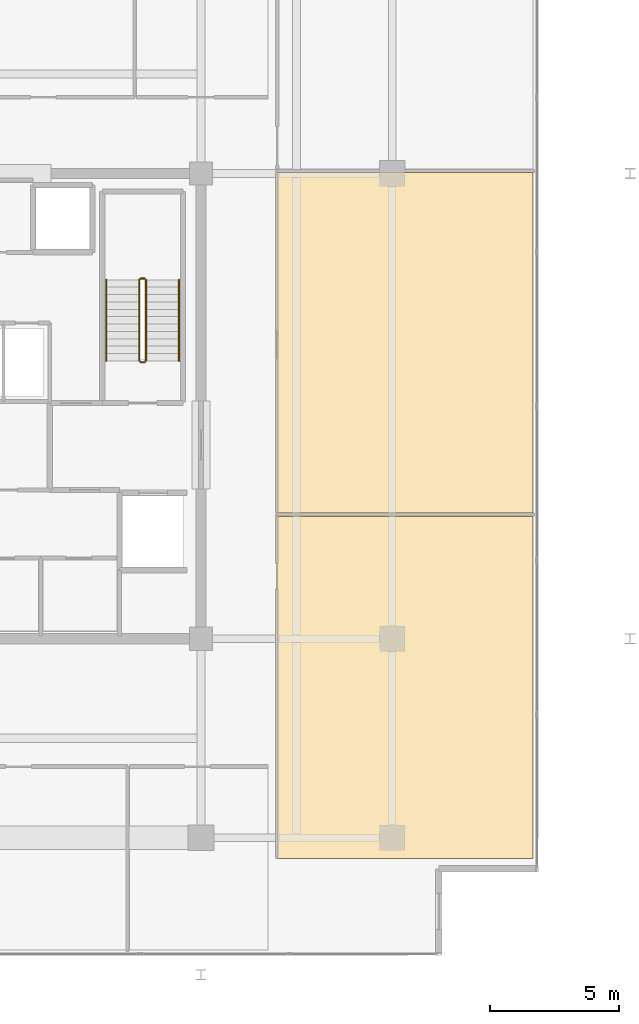
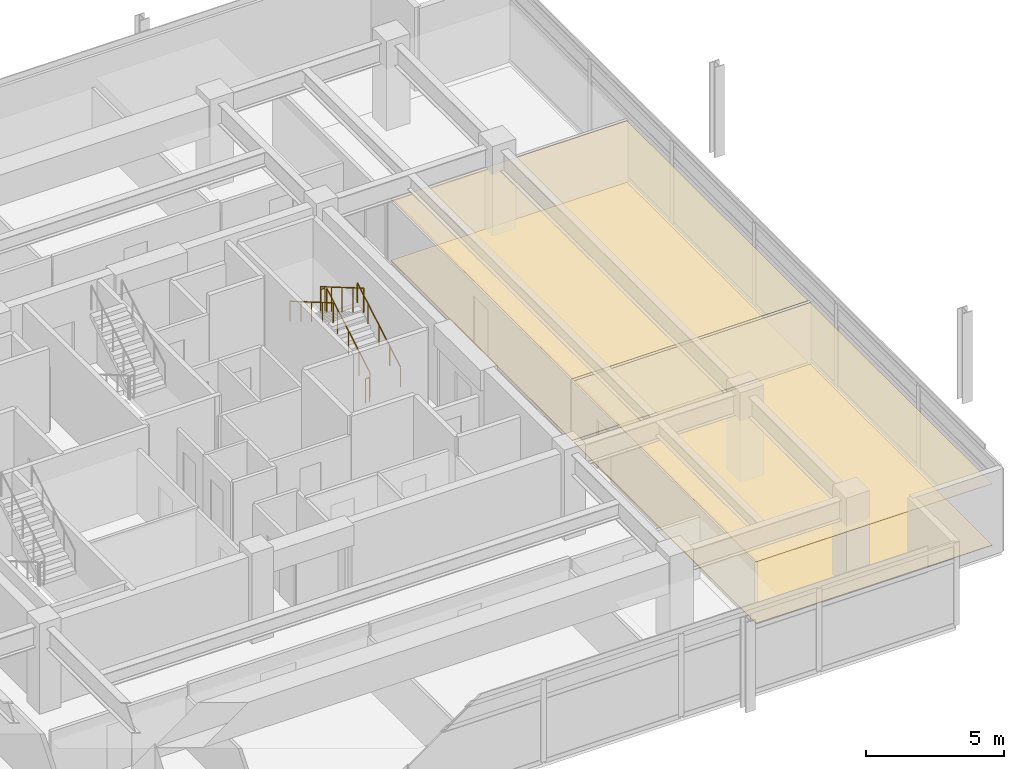
# One storey, part 17 of 18: 6 railings, 4 coverings.
"""IFC4 building model written with IfcOpenShell, lengths in metres."""

import ifcopenshell
import ifcopenshell.guid

model = None  # the IFC model being written
_history = None  # IfcOwnerHistory: only IFC2X3 demands one
_inside = {}  # id of a spatial element -> (the spatial element, [elements in it])
_under = {}  # id of a project, library or spatial element -> (it, [spatial elements below it])
_declared = {}  # id of a project -> (the project, [libraries it declares])
_typed = {}  # id of a type object -> (the type object, [elements of that type])
_made_of = {}  # id of a material, layer set ... -> (it, [elements and type objects made of it])


def new_model(schema):
    """Start an empty IFC model of exactly this schema.

    Asked for "IFC4X3", IfcOpenShell would pick the latest addendum, in which some entities
    have other attributes; the version numbers below select the first issue.
    IFC2X3 requires an IfcOwnerHistory on every rooted entity: one is made here for all.
    """
    global model, _history
    if schema == "IFC4X3":
        model = ifcopenshell.file(schema_version=(4, 3, 0, 0))
    else:
        model = ifcopenshell.file(schema=schema)
    _inside.clear()
    _under.clear()
    _declared.clear()
    _typed.clear()
    _made_of.clear()
    _history = None
    if model.schema == "IFC2X3":
        org = make("IfcOrganization", Name="unknown")
        user = make(
            "IfcPersonAndOrganization",
            ThePerson=make("IfcPerson", FamilyName="unknown"),
            TheOrganization=org,
        )
        app = make(
            "IfcApplication",
            ApplicationDeveloper=org,
            Version="unknown",
            ApplicationFullName="unknown",
            ApplicationIdentifier="unknown",
        )
        _history = make(
            "IfcOwnerHistory",
            OwningUser=user,
            OwningApplication=app,
            ChangeAction="ADDED",
            CreationDate=0,
        )
    return model


def make(cls, **values):
    """One entity of the class cls with the attributes given. An attribute that is None is left unset."""
    return model.create_entity(
        cls, **{name: value for name, value in values.items() if value is not None}
    )


def rooted(cls, **values):
    """An entity with a GlobalId (a new one), such as an element, a storey or a relation."""
    return make(cls, GlobalId=ifcopenshell.guid.new(), OwnerHistory=_history, **values)


def si_unit(unit_type, name, prefix=None):
    """IfcSIUnit, for example si_unit("LENGTHUNIT", "METRE", prefix="MILLI")."""
    return make("IfcSIUnit", UnitType=unit_type, Prefix=prefix, Name=name)


def assignment(units):
    """IfcUnitAssignment: the units of a project."""
    return None if units is None else make("IfcUnitAssignment", Units=units)


def point(xyz):
    """IfcCartesianPoint."""
    return None if xyz is None else make("IfcCartesianPoint", Coordinates=xyz)


def direction(xyz):
    """IfcDirection."""
    return None if xyz is None else make("IfcDirection", DirectionRatios=xyz)


def frame(location, z_axis=None, x_axis=None):
    """IfcAxis2Placement3D, a coordinate frame: its origin and axes. An axis left out is left unset."""
    return make(
        "IfcAxis2Placement3D",
        Location=point(location),
        Axis=direction(z_axis),
        RefDirection=direction(x_axis),
    )


def frame_2d(location, x_axis=None):
    """IfcAxis2Placement2D, a coordinate frame in the plane: its origin and x axis."""
    return make(
        "IfcAxis2Placement2D", Location=point(location), RefDirection=direction(x_axis)
    )


def origin():
    """The frame at (0, 0, 0) with its axes left unset."""
    return frame((0.0, 0.0, 0.0))


def origin_2d():
    """The frame at (0, 0) in the plane with its x axis left unset."""
    return frame_2d((0.0, 0.0))


def place(relative_to, where):
    """IfcLocalPlacement: puts the frame where relative to a parent placement (None: the world)."""
    return make(
        "IfcLocalPlacement", PlacementRelTo=relative_to, RelativePlacement=where
    )


def context(
    kind, dimensions, precision=None, world=None, true_north=None, identifier=None
):
    """IfcGeometricRepresentationContext, for example the 3D "Model" context."""
    return make(
        "IfcGeometricRepresentationContext",
        ContextIdentifier=identifier,
        ContextType=kind,
        CoordinateSpaceDimension=dimensions,
        Precision=precision,
        WorldCoordinateSystem=world,
        TrueNorth=true_north,
    )


def subcontext(parent, identifier, kind, view, scale=None):
    """IfcGeometricRepresentationSubContext, for example "Body" below "Model"."""
    return make(
        "IfcGeometricRepresentationSubContext",
        ContextIdentifier=identifier,
        ContextType=kind,
        ParentContext=parent,
        TargetScale=scale,
        TargetView=view,
    )


def project(units=None, contexts=None):
    """IfcProject with its units and contexts."""
    return rooted(
        "IfcProject",
        Name="project",
        RepresentationContexts=contexts,
        UnitsInContext=assignment(units),
    )


def spatial(cls, under=None, at=None, **own):
    """A site, building, storey or space (cls), placed at a placement, below another one or the project."""
    s = rooted(cls, ObjectPlacement=at, **own)
    if under is not None:
        _under.setdefault(under.id(), (under, []))[1].append(s)
    return s


def polyline(points):
    """IfcPolyline through the points."""
    return make("IfcPolyline", Points=[point(p) for p in points])


def profile(cls, at=None, kind="AREA", **sizes):
    """A parametric profile (cls). Its sizes go by their IFC names, for example OverallWidth=200.0."""
    return make(cls, ProfileType=kind, Position=at, **sizes)


def circle(**sizes):
    """IfcCircleProfileDef."""
    return profile("IfcCircleProfileDef", **sizes)


def outline(outer, holes=None, kind="AREA"):
    """IfcArbitraryClosedProfileDef: a profile drawn as a closed curve; with holes, ...WithVoids."""
    if holes is None:
        return make("IfcArbitraryClosedProfileDef", ProfileType=kind, OuterCurve=outer)
    return make(
        "IfcArbitraryProfileDefWithVoids",
        ProfileType=kind,
        OuterCurve=outer,
        InnerCurves=holes,
    )


def extrude(swept, where, along, depth):
    """IfcExtrudedAreaSolid: the profile swept, set in the frame where, extruded along a direction by depth."""
    return make(
        "IfcExtrudedAreaSolid",
        SweptArea=swept,
        Position=where,
        ExtrudedDirection=direction(along),
        Depth=depth,
    )


def shape(context_of_items, identifier, shape_type, items):
    """IfcShapeRepresentation: the items that make up one representation, for example the "Body"."""
    return make(
        "IfcShapeRepresentation",
        ContextOfItems=context_of_items,
        RepresentationIdentifier=identifier,
        RepresentationType=shape_type,
        Items=items,
    )


def material(Name=None, Category=None):
    """IfcMaterial."""
    return make("IfcMaterial", Name=Name, Category=Category)


def layer(
    of_material, thickness, ventilated=None, Name=None, Category=None, Priority=None
):
    """IfcMaterialLayer: one layer of a wall or slab, of a material (None: an air gap)."""
    return make(
        "IfcMaterialLayer",
        Material=of_material,
        LayerThickness=thickness,
        IsVentilated=ventilated,
        Name=Name,
        Category=Category,
        Priority=Priority,
    )


def layer_set(layers, Name=None):
    """IfcMaterialLayerSet."""
    return make("IfcMaterialLayerSet", MaterialLayers=layers, LayerSetName=Name)


def made_of(thing, what):
    """Note that an element or type object is made of a material, layer set ...; save() writes the relation."""
    if what is not None:
        _made_of.setdefault(what.id(), (what, []))[1].append(thing)
    return thing


def type_object(cls, material=None, **own):
    """A type object (cls), such as IfcWallType, which elements share."""
    return made_of(rooted(cls, **own), material)


def element(
    cls,
    number,
    at=None,
    inside=None,
    cuts=None,
    type_object=None,
    material=None,
    context=None,
    identifier="Body",
    shape_type=None,
    held_by="IfcProductDefinitionShape",
    body=None,
    shapes=None,
    **own,
):
    """One element of the class cls, such as IfcWall. Its Tag is "e" and its number.

    at: its placement. inside: the storey or other place that contains it. cuts: it is an
    opening in that element (IfcRelVoidsElement). A single representation is given by context,
    identifier, shape_type and body (its items); several are given by shapes. held_by: the class
    of the entity that holds the representations. save() writes the other relations.
    """
    e = rooted(cls, Tag="e%d" % number, ObjectPlacement=at, **own)
    if body is not None:
        shapes = [shape(context, identifier, shape_type, body)]
    if shapes is not None:
        e.Representation = make(held_by, Representations=shapes)
    if inside is not None:
        _inside.setdefault(inside.id(), (inside, []))[1].append(e)
    if cuts is not None:
        rooted(
            "IfcRelVoidsElement", RelatingBuildingElement=cuts, RelatedOpeningElement=e
        )
    if type_object is not None:
        _typed.setdefault(type_object.id(), (type_object, []))[1].append(e)
    return made_of(e, material)


def aggregate(whole, parts):
    """IfcRelAggregates: a whole, such as a stair, and the parts it consists of."""
    return rooted("IfcRelAggregates", RelatingObject=whole, RelatedObjects=parts)


def save(model, path):
    """Write the relations noted so far, then the file.

    IfcRelAggregates (storeys below a building ...), IfcRelContainedInSpatialStructure (elements
    in a storey), IfcRelDefinesByType, IfcRelAssociatesMaterial and IfcRelDeclares: one each for
    every whole, place, type object, material and project.
    """
    for whole, parts in _under.values():
        aggregate(whole, parts)
    for where, things in _inside.values():
        rooted(
            "IfcRelContainedInSpatialStructure",
            RelatedElements=things,
            RelatingStructure=where,
        )
    for kind, things in _typed.values():
        rooted("IfcRelDefinesByType", RelatedObjects=things, RelatingType=kind)
    for what, things in _made_of.values():
        rooted("IfcRelAssociatesMaterial", RelatedObjects=things, RelatingMaterial=what)
    for by, libraries in _declared.values():
        rooted("IfcRelDeclares", RelatingContext=by, RelatedDefinitions=libraries)
    model.write(path)


model = new_model("IFC4")

# Units and contexts
model_context = context("Model", 3, precision=1e-05, world=origin(), true_north=direction((0.0, 1.0)))
body_context = subcontext(model_context, "Body", "Model", "MODEL_VIEW")
ifc_project = project(units=[si_unit("LENGTHUNIT", "METRE"), si_unit("AREAUNIT", "SQUARE_METRE"), si_unit("VOLUMEUNIT", "CUBIC_METRE"), si_unit("PLANEANGLEUNIT", "RADIAN"), si_unit("MASSUNIT", "GRAM", prefix="KILO")], contexts=[model_context])

# Site, building, storey
site_placement = place(None, origin())
site = spatial("IfcSite", under=ifc_project, at=site_placement, CompositionType="ELEMENT")
building_placement = place(site_placement, origin())
building = spatial("IfcBuilding", under=site, at=building_placement, Name="Kovane Verandah Tower", CompositionType="ELEMENT")
storey_placement = place(building_placement, frame((0.0, 0.0, 338.800048828125)))
storey = spatial("IfcBuildingStorey", under=building, at=storey_placement, Name="L79", CompositionType="ELEMENT", Elevation=338.800048828125)

# Coverings
ifc_material_1 = material(Name="Perforated Acoustic Mineral-Fibre Ceiling Tile", Category="gypsum")
ifc_layer_1 = layer(ifc_material_1, 0.02490234375)
ifc_layer_set_1 = layer_set([ifc_layer_1], Name="Perforated Acoustic Mineral-Fibre Ceiling Tile")
covering_type_1 = type_object("IfcCoveringType", Name="CV-CEIL-25", PredefinedType="CEILING", material=ifc_layer_set_1)
covering_1_placement = place(storey_placement, frame((0.0, 0.0, 2.728271484375)))
element("IfcCovering", 1, at=covering_1_placement, inside=storey, type_object=covering_type_1, Name="L79 Open Plan Office E1 Acoustic Ceiling", PredefinedType="CEILING", context=body_context, shape_type="SweptSolid", body=[
    extrude(outline(polyline([(53.949951171875, 10.0), (63.85009765625, 10.0), (63.85009765625, 23.22998046875), (53.949951171875, 23.22998046875), (53.949951171875, 10.0)])), origin(), (0.0, 0.0, 1.0), 0.025146484375),
])
covering_2_placement = place(storey_placement, frame((0.0, 0.0, 2.728271484375)))
element("IfcCovering", 2, at=covering_2_placement, inside=storey, type_object=covering_type_1, Name="L79 Executive Office E2 Acoustic Ceiling", PredefinedType="CEILING", context=body_context, shape_type="SweptSolid", body=[
    extrude(outline(polyline([(53.949951171875, 23.3701171875), (63.85009765625, 23.3701171875), (63.85009765625, 36.530029296875), (53.949951171875, 36.530029296875), (53.949951171875, 23.3701171875)])), origin(), (0.0, 0.0, 1.0), 0.025146484375),
])
ifc_material_2 = material(Name="Polished Terrazzo and Raised-Access Carpet Tile Finish", Category="concrete")
ifc_layer_2 = layer(ifc_material_2, 0.030029296875)
ifc_layer_set_2 = layer_set([ifc_layer_2], Name="Polished Terrazzo and Raised-Access Carpet Tile Finish")
covering_type_2 = type_object("IfcCoveringType", Name="CV-FLOR-30", PredefinedType="FLOORING", material=ifc_layer_set_2)
covering_3_placement = place(storey_placement, origin())
element("IfcCovering", 3, at=covering_3_placement, inside=storey, type_object=covering_type_2, Name="L79 Open Plan Office E1 Floor Finish", PredefinedType="FLOORING", context=body_context, shape_type="SweptSolid", body=[
    extrude(outline(polyline([(53.949951171875, 10.0), (63.85009765625, 10.0), (63.85009765625, 23.22998046875), (53.949951171875, 23.22998046875), (53.949951171875, 10.0)])), origin(), (0.0, 0.0, 1.0), 0.030029296875),
])
covering_4_placement = place(storey_placement, origin())
element("IfcCovering", 4, at=covering_4_placement, inside=storey, type_object=covering_type_2, Name="L79 Executive Office E2 Floor Finish", PredefinedType="FLOORING", context=body_context, shape_type="SweptSolid", body=[
    extrude(outline(polyline([(53.949951171875, 23.3701171875), (63.85009765625, 23.3701171875), (63.85009765625, 36.530029296875), (53.949951171875, 36.530029296875), (53.949951171875, 23.3701171875)])), origin(), (0.0, 0.0, 1.0), 0.030029296875),
])

# Railings
ifc_material_3 = material(Name="Brushed Stainless Steel Handrail", Category="steel")
railing_type_1 = type_object("IfcRailingType", Name="RL-HAND-920", PredefinedType="HANDRAIL", material=ifc_material_3)
railing_1_placement = place(storey_placement, frame((50.14990234375, 29.25, 0.16650390625)))
element("IfcRailing", 5, at=railing_1_placement, inside=storey, type_object=railing_type_1, Name="L79 ST-02 stair handrail 1", PredefinedType="HANDRAIL", context=body_context, shape_type="SweptSolid", body=[
    extrude(circle(Radius=0.02392578125, at=origin_2d()), frame((0.0, 0.0, 0.8759765625), z_axis=(0.0, 0.863210265497, 0.504844567704), x_axis=(-1.0, 0.0, 0.0)), (0.0, 0.0, 1.0), 3.6318359375),
    extrude(circle(Radius=0.02099609375, at=origin_2d()), origin(), (0.0, 0.0, 1.0), 0.851806640625),
    extrude(circle(Radius=0.02099609375, at=origin_2d()), frame((0.0, 0.78369140625, 0.45849609375)), (0.0, 0.0, 1.0), 0.851806640625),
    extrude(circle(Radius=0.02099609375, at=origin_2d()), frame((0.0, 1.5673828125, 0.916748046875)), (0.0, 0.0, 1.0), 0.851806640625),
    extrude(circle(Radius=0.02099609375, at=origin_2d()), frame((0.0, 2.351318359375, 1.375)), (0.0, 0.0, 1.0), 0.851806640625),
    extrude(circle(Radius=0.02099609375, at=origin_2d()), frame((0.0, 3.135009765625, 1.83349609375)), (0.0, 0.0, 1.0), 0.851806640625),
])
railing_2_placement = place(storey_placement, frame((47.330078125, 32.385009765625, 2.16650390625)))
element("IfcRailing", 6, at=railing_2_placement, inside=storey, type_object=railing_type_1, Name="L79 ST-02 stair handrail 2", PredefinedType="HANDRAIL", context=body_context, shape_type="SweptSolid", body=[
    extrude(circle(Radius=0.02392578125, at=origin_2d()), frame((0.0, 0.0, 0.8759765625), z_axis=(0.0, -0.863210265497, 0.504844567704), x_axis=(1.0, 0.0, 0.0)), (0.0, 0.0, 1.0), 3.6318359375),
    extrude(circle(Radius=0.02099609375, at=origin_2d()), origin(), (0.0, 0.0, 1.0), 0.851806640625),
    extrude(circle(Radius=0.02099609375, at=origin_2d()), frame((0.0, -0.78369140625, 0.45849609375)), (0.0, 0.0, 1.0), 0.851806640625),
    extrude(circle(Radius=0.02099609375, at=origin_2d()), frame((0.0, -1.5673828125, 0.916748046875)), (0.0, 0.0, 1.0), 0.851806640625),
    extrude(circle(Radius=0.02099609375, at=origin_2d()), frame((0.0, -2.351318359375, 1.375)), (0.0, 0.0, 1.0), 0.851806640625),
    extrude(circle(Radius=0.02099609375, at=origin_2d()), frame((0.0, -3.135009765625, 1.83349609375)), (0.0, 0.0, 1.0), 0.851806640625),
])
ifc_material_4 = material(Name="Painted Steel Stairwell Guardrail", Category="steel")
railing_type_2 = type_object("IfcRailingType", Name="RL-STGUARD-1120", PredefinedType="GUARDRAIL", material=ifc_material_4)
railing_3_placement = place(storey_placement, frame((48.8701171875, 29.25, 0.16650390625)))
element("IfcRailing", 7, at=railing_3_placement, inside=storey, type_object=railing_type_2, Name="L79 ST-02 stair guard 1", PredefinedType="GUARDRAIL", context=body_context, shape_type="SweptSolid", body=[
    extrude(circle(Radius=0.02392578125, at=origin_2d()), frame((0.0, 0.0, 1.076171875), z_axis=(0.0, 0.863210265497, 0.504844567704), x_axis=(-1.0, 0.0, 0.0)), (0.0, 0.0, 1.0), 3.6318359375),
    extrude(circle(Radius=0.02099609375, at=origin_2d()), origin(), (0.0, 0.0, 1.0), 1.052001953125),
    extrude(circle(Radius=0.02099609375, at=origin_2d()), frame((0.0, 0.78369140625, 0.45849609375)), (0.0, 0.0, 1.0), 1.052001953125),
    extrude(circle(Radius=0.02099609375, at=origin_2d()), frame((0.0, 1.5673828125, 0.916748046875)), (0.0, 0.0, 1.0), 1.052001953125),
    extrude(circle(Radius=0.02099609375, at=origin_2d()), frame((0.0, 2.351318359375, 1.375)), (0.0, 0.0, 1.0), 1.052001953125),
    extrude(circle(Radius=0.02099609375, at=origin_2d()), frame((0.0, 3.135009765625, 1.83349609375)), (0.0, 0.0, 1.0), 1.052001953125),
])
railing_4_placement = place(storey_placement, frame((48.820068359375, 32.43505859375, 2.0)))
element("IfcRailing", 8, at=railing_4_placement, inside=storey, type_object=railing_type_2, Name="L79 ST-02 stair guard 2", PredefinedType="GUARDRAIL", context=body_context, shape_type="SweptSolid", body=[
    extrude(circle(Radius=0.02392578125, at=origin_2d()), frame((0.0, 0.0, 1.076171875), z_axis=(-1.0, 0.0, 0.0), x_axis=(0.0, -1.0, 0.0)), (0.0, 0.0, 1.0), 0.16015625),
    extrude(circle(Radius=0.02099609375, at=origin_2d()), origin(), (0.0, 0.0, 1.0), 1.052001953125),
    extrude(circle(Radius=0.02099609375, at=origin_2d()), frame((-0.16015625, 0.0, 0.0)), (0.0, 0.0, 1.0), 1.052001953125),
])
railing_5_placement = place(storey_placement, frame((48.610107421875, 32.385009765625, 2.16650390625)))
element("IfcRailing", 9, at=railing_5_placement, inside=storey, type_object=railing_type_2, Name="L79 ST-02 stair guard 3", PredefinedType="GUARDRAIL", context=body_context, shape_type="SweptSolid", body=[
    extrude(circle(Radius=0.02392578125, at=origin_2d()), frame((0.0, 0.0, 1.076171875), z_axis=(0.0, -0.863210265497, 0.504844567704), x_axis=(1.0, 0.0, 0.0)), (0.0, 0.0, 1.0), 3.6318359375),
    extrude(circle(Radius=0.02099609375, at=origin_2d()), origin(), (0.0, 0.0, 1.0), 1.052001953125),
    extrude(circle(Radius=0.02099609375, at=origin_2d()), frame((0.0, -0.78369140625, 0.45849609375)), (0.0, 0.0, 1.0), 1.052001953125),
    extrude(circle(Radius=0.02099609375, at=origin_2d()), frame((0.0, -1.5673828125, 0.916748046875)), (0.0, 0.0, 1.0), 1.052001953125),
    extrude(circle(Radius=0.02099609375, at=origin_2d()), frame((0.0, -2.351318359375, 1.375)), (0.0, 0.0, 1.0), 1.052001953125),
    extrude(circle(Radius=0.02099609375, at=origin_2d()), frame((0.0, -3.135009765625, 1.83349609375)), (0.0, 0.0, 1.0), 1.052001953125),
])
railing_6_placement = place(storey_placement, frame((48.820068359375, 29.199951171875, 0.0)))
element("IfcRailing", 10, at=railing_6_placement, inside=storey, type_object=railing_type_2, Name="L79 ST-02 stair guard 4", PredefinedType="GUARDRAIL", context=body_context, shape_type="SweptSolid", body=[
    extrude(circle(Radius=0.02392578125, at=origin_2d()), frame((0.0, 0.0, 1.076171875), z_axis=(-1.0, 0.0, 0.0), x_axis=(0.0, -1.0, 0.0)), (0.0, 0.0, 1.0), 0.16015625),
    extrude(circle(Radius=0.02099609375, at=origin_2d()), origin(), (0.0, 0.0, 1.0), 1.052001953125),
    extrude(circle(Radius=0.02099609375, at=origin_2d()), frame((-0.16015625, 0.0, 0.0)), (0.0, 0.0, 1.0), 1.052001953125),
])

save(model, "model.ifc")
